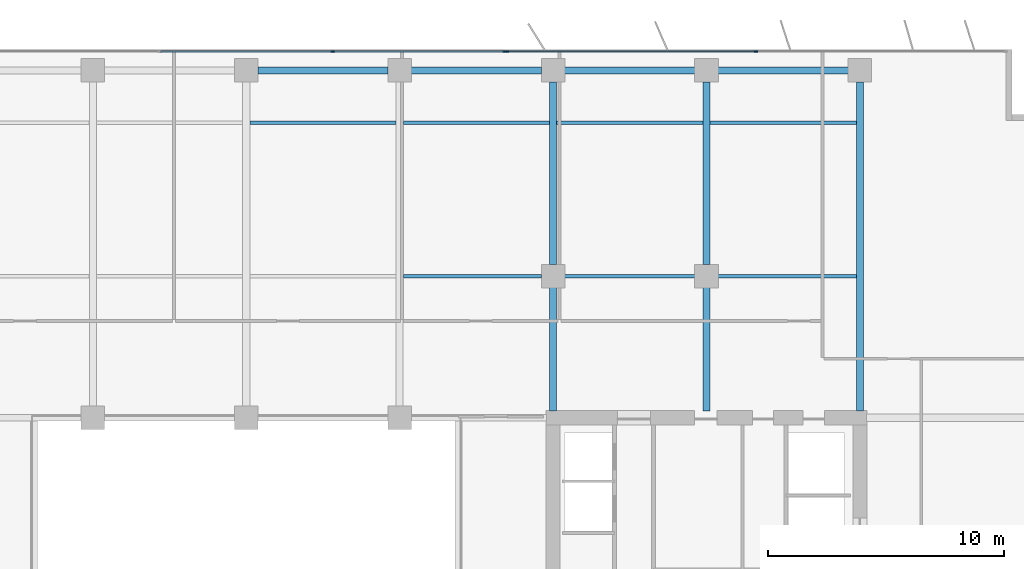
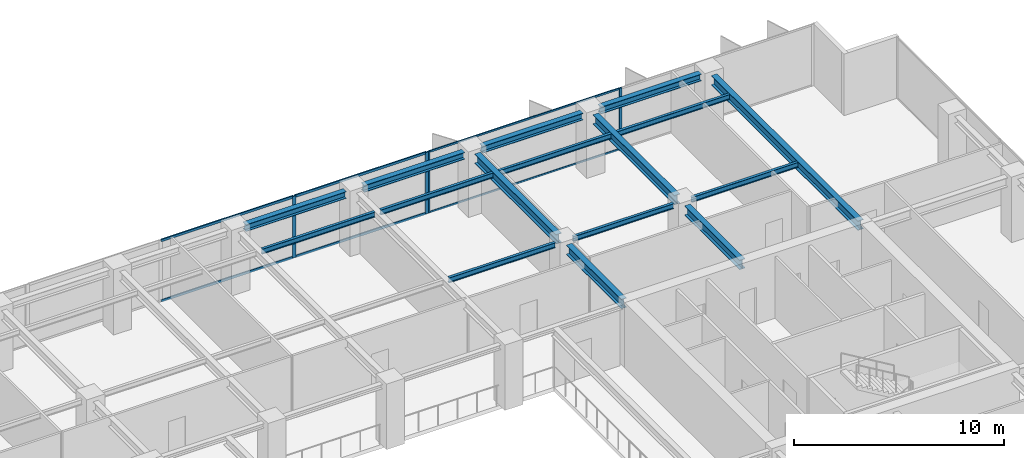
# One storey, part 10 of 22: 16 beams, 10 members, 2 elements without a shape of their own.
"""IFC4 building model written with IfcOpenShell, lengths in metres."""

from ifc_helpers import new_model, si_unit, direction, frame, origin, origin_2d, place, context, subcontext, project, spatial, rectangle, i_section, extrude, material, layer, layer_set, material_profile, profile_set, type_object, element, aggregate, save


model = new_model("IFC4")

# Units and contexts
model_context = context("Model", 3, precision=1e-05, world=origin(), true_north=direction((0.0, 1.0)))
body_context = subcontext(model_context, "Body", "Model", "MODEL_VIEW")
ifc_project = project(units=[si_unit("LENGTHUNIT", "METRE"), si_unit("AREAUNIT", "SQUARE_METRE"), si_unit("VOLUMEUNIT", "CUBIC_METRE"), si_unit("PLANEANGLEUNIT", "RADIAN"), si_unit("MASSUNIT", "GRAM", prefix="KILO")], contexts=[model_context])

# Site, building, storey
site_placement = place(None, origin())
site = spatial("IfcSite", under=ifc_project, at=site_placement, CompositionType="ELEMENT")
building_placement = place(site_placement, origin())
building = spatial("IfcBuilding", under=site, at=building_placement, Name="Putna Gate Headquarters", CompositionType="ELEMENT")
storey_placement = place(building_placement, frame((0.0, 0.0, 151.800048828125)))
storey = spatial("IfcBuildingStorey", under=building, at=storey_placement, Name="L37", CompositionType="ELEMENT", Elevation=151.800048828125)

# Beams
ifc_material_1 = material(Name="Steel S355J2", Category="steel")
ifc_material_profile_1 = material_profile(ifc_material_1, i_section(OverallWidth=0.300048828125, OverallDepth=0.550048828125, WebThickness=0.014892578125, FlangeThickness=0.029052734375, at=origin_2d()), Name="Steel S355J2")
ifc_profile_set_1 = profile_set([ifc_material_profile_1], Name="Steel S355J2")
beam_type_1 = type_object("IfcBeamType", Name="BM-GIRD-Z3-HEB550", PredefinedType="USERDEFINED", material=ifc_profile_set_1)
beam_1_placement = place(storey_placement, frame((52.0, 33.284912109375, 3.296875), z_axis=(0.0, 1.0, 0.0), x_axis=(-1.0, 0.0, 0.0)))
element("IfcBeam", 1, at=beam_1_placement, inside=storey, type_object=beam_type_1, Name="L37 North Primary Girder X52-1", ObjectType="GIRDER", PredefinedType="USERDEFINED", context=body_context, shape_type="SweptSolid", body=[
    extrude(i_section(OverallWidth=0.300048828125, OverallDepth=0.550048828125, WebThickness=0.014892578125, FlangeThickness=0.029052734375, at=origin_2d()), origin(), (0.0, 0.0, 1.0), 5.22705078125),
])
beam_2_placement = place(storey_placement, frame((52.0, 39.488037109375, 3.296875), z_axis=(0.0, 1.0, 0.0), x_axis=(-1.0, 0.0, 0.0)))
element("IfcBeam", 2, at=beam_2_placement, inside=storey, type_object=beam_type_1, Name="L37 North Primary Girder X52-2", ObjectType="GIRDER", PredefinedType="USERDEFINED", context=body_context, shape_type="SweptSolid", body=[
    extrude(i_section(OverallWidth=0.300048828125, OverallDepth=0.550048828125, WebThickness=0.014892578125, FlangeThickness=0.029052734375, at=origin_2d()), origin(), (0.0, 0.0, 1.0), 7.743896484375),
])
beam_3_placement = place(storey_placement, frame((58.5, 33.284912109375, 3.296875), z_axis=(0.0, 1.0, 0.0), x_axis=(-1.0, 0.0, 0.0)))
element("IfcBeam", 3, at=beam_3_placement, inside=storey, type_object=beam_type_1, Name="L37 North Primary Girder X58-1", ObjectType="GIRDER", PredefinedType="USERDEFINED", context=body_context, shape_type="SweptSolid", body=[
    extrude(i_section(OverallWidth=0.300048828125, OverallDepth=0.550048828125, WebThickness=0.014892578125, FlangeThickness=0.029052734375, at=origin_2d()), origin(), (0.0, 0.0, 1.0), 5.22705078125),
])
beam_4_placement = place(storey_placement, frame((58.5, 39.488037109375, 3.296875), z_axis=(0.0, 1.0, 0.0), x_axis=(-1.0, 0.0, 0.0)))
element("IfcBeam", 4, at=beam_4_placement, inside=storey, type_object=beam_type_1, Name="L37 North Primary Girder X58-2", ObjectType="GIRDER", PredefinedType="USERDEFINED", context=body_context, shape_type="SweptSolid", body=[
    extrude(i_section(OverallWidth=0.300048828125, OverallDepth=0.550048828125, WebThickness=0.014892578125, FlangeThickness=0.029052734375, at=origin_2d()), origin(), (0.0, 0.0, 1.0), 7.743896484375),
])
beam_5_placement = place(storey_placement, frame((65.0, 33.284912109375, 3.296875), z_axis=(0.0, 1.0, 0.0), x_axis=(-1.0, 0.0, 0.0)))
element("IfcBeam", 5, at=beam_5_placement, inside=storey, type_object=beam_type_1, Name="L37 North Primary Girder X65", ObjectType="GIRDER", PredefinedType="USERDEFINED", context=body_context, shape_type="SweptSolid", body=[
    extrude(i_section(OverallWidth=0.300048828125, OverallDepth=0.550048828125, WebThickness=0.014892578125, FlangeThickness=0.029052734375, at=origin_2d()), origin(), (0.0, 0.0, 1.0), 13.947021484375),
])
ifc_material_profile_2 = material_profile(ifc_material_1, i_section(OverallWidth=0.14990234375, OverallDepth=0.300048828125, WebThickness=0.007080078125, FlangeThickness=0.0107421875, at=origin_2d()), Name="Steel S355J2")
ifc_profile_set_2 = profile_set([ifc_material_profile_2], Name="Steel S355J2")
beam_type_2 = type_object("IfcBeamType", Name="BM-SEC-Z3-IPE300", PredefinedType="JOIST", material=ifc_profile_set_2)
beam_6_placement = place(storey_placement, frame((39.154052734375, 45.5, 3.421875), z_axis=(1.0, 0.0, 0.0), x_axis=(0.0, 1.0, 0.0)))
element("IfcBeam", 6, at=beam_6_placement, inside=storey, type_object=beam_type_2, Name="L37 North Secondary Beam 5", PredefinedType="JOIST", context=body_context, shape_type="SweptSolid", body=[
    extrude(i_section(OverallWidth=0.14990234375, OverallDepth=0.300048828125, WebThickness=0.007080078125, FlangeThickness=0.0107421875, at=origin_2d()), origin(), (0.0, 0.0, 1.0), 6.19189453125),
])
beam_7_placement = place(storey_placement, frame((45.654052734375, 39.0, 3.421875), z_axis=(1.0, 0.0, 0.0), x_axis=(0.0, 1.0, 0.0)))
element("IfcBeam", 7, at=beam_7_placement, inside=storey, type_object=beam_type_2, Name="L37 North Secondary Beam 6", PredefinedType="JOIST", context=body_context, shape_type="SweptSolid", body=[
    extrude(i_section(OverallWidth=0.14990234375, OverallDepth=0.300048828125, WebThickness=0.007080078125, FlangeThickness=0.0107421875, at=origin_2d()), origin(), (0.0, 0.0, 1.0), 5.85791015625),
])
beam_8_placement = place(storey_placement, frame((45.654052734375, 45.5, 3.421875), z_axis=(1.0, 0.0, 0.0), x_axis=(0.0, 1.0, 0.0)))
element("IfcBeam", 8, at=beam_8_placement, inside=storey, type_object=beam_type_2, Name="L37 North Secondary Beam 6", PredefinedType="JOIST", context=body_context, shape_type="SweptSolid", body=[
    extrude(i_section(OverallWidth=0.14990234375, OverallDepth=0.300048828125, WebThickness=0.007080078125, FlangeThickness=0.0107421875, at=origin_2d()), origin(), (0.0, 0.0, 1.0), 6.19189453125),
])
beam_9_placement = place(storey_placement, frame((52.488037109375, 39.0, 3.421875), z_axis=(1.0, 0.0, 0.0), x_axis=(0.0, 1.0, 0.0)))
element("IfcBeam", 9, at=beam_9_placement, inside=storey, type_object=beam_type_2, Name="L37 North Secondary Beam 7", PredefinedType="JOIST", context=body_context, shape_type="SweptSolid", body=[
    extrude(i_section(OverallWidth=0.14990234375, OverallDepth=0.300048828125, WebThickness=0.007080078125, FlangeThickness=0.0107421875, at=origin_2d()), origin(), (0.0, 0.0, 1.0), 5.52392578125),
])
beam_10_placement = place(storey_placement, frame((52.154052734375, 45.5, 3.421875), z_axis=(1.0, 0.0, 0.0), x_axis=(0.0, 1.0, 0.0)))
element("IfcBeam", 10, at=beam_10_placement, inside=storey, type_object=beam_type_2, Name="L37 North Secondary Beam 7", PredefinedType="JOIST", context=body_context, shape_type="SweptSolid", body=[
    extrude(i_section(OverallWidth=0.14990234375, OverallDepth=0.300048828125, WebThickness=0.007080078125, FlangeThickness=0.0107421875, at=origin_2d()), origin(), (0.0, 0.0, 1.0), 6.19189453125),
])
beam_11_placement = place(storey_placement, frame((58.988037109375, 39.0, 3.421875), z_axis=(1.0, 0.0, 0.0), x_axis=(0.0, 1.0, 0.0)))
element("IfcBeam", 11, at=beam_11_placement, inside=storey, type_object=beam_type_2, Name="L37 North Secondary Beam 8", PredefinedType="JOIST", context=body_context, shape_type="SweptSolid", body=[
    extrude(i_section(OverallWidth=0.14990234375, OverallDepth=0.300048828125, WebThickness=0.007080078125, FlangeThickness=0.0107421875, at=origin_2d()), origin(), (0.0, 0.0, 1.0), 5.85791015625),
])
beam_12_placement = place(storey_placement, frame((58.654052734375, 45.5, 3.421875), z_axis=(1.0, 0.0, 0.0), x_axis=(0.0, 1.0, 0.0)))
element("IfcBeam", 12, at=beam_12_placement, inside=storey, type_object=beam_type_2, Name="L37 North Secondary Beam 8", PredefinedType="JOIST", context=body_context, shape_type="SweptSolid", body=[
    extrude(i_section(OverallWidth=0.14990234375, OverallDepth=0.300048828125, WebThickness=0.007080078125, FlangeThickness=0.0107421875, at=origin_2d()), origin(), (0.0, 0.0, 1.0), 6.19189453125),
])
ifc_material_profile_3 = material_profile(ifc_material_1, i_section(OverallWidth=0.300048828125, OverallDepth=0.39990234375, WebThickness=0.013427734375, FlangeThickness=0.02392578125, at=origin_2d()), Name="Steel S355J2")
ifc_profile_set_3 = profile_set([ifc_material_profile_3], Name="Steel S355J2")
beam_type_3 = type_object("IfcBeamType", Name="BM-SPAN-Z3-HEB400", PredefinedType="SPANDREL", material=ifc_profile_set_3)
for number, where, z_axis, x_axis, name in (
    (13, (39.488037109375, 47.719970703125, 3.3720703125), (1.0, 0.0, 0.0), (0.0, 1.0, 0.0), "L37 N Perimeter Spandrel 5"),
    (14, (45.988037109375, 47.719970703125, 3.3720703125), (1.0, 0.0, 0.0), (0.0, 1.0, 0.0), "L37 N Perimeter Spandrel 6"),
    (15, (52.488037109375, 47.719970703125, 3.3720703125), (1.0, 0.0, 0.0), (0.0, 1.0, 0.0), "L37 N Perimeter Spandrel 7"),
    (16, (58.988037109375, 47.719970703125, 3.3720703125), (1.0, 0.0, 0.0), (0.0, 1.0, 0.0), "L37 N Perimeter Spandrel 8"),
):
    element("IfcBeam", number, at=place(storey_placement, frame(where, z_axis=z_axis, x_axis=x_axis)), inside=storey, type_object=beam_type_3, Name=name, PredefinedType="SPANDREL", context=body_context, shape_type="SweptSolid", body=[
        extrude(i_section(OverallWidth=0.300048828125, OverallDepth=0.39990234375, WebThickness=0.013427734375, FlangeThickness=0.02392578125, at=origin_2d()), origin(), (0.0, 0.0, 1.0), 5.52392578125),
    ])

# Curtain wall, members
ifc_material_2 = material(Name="Anodised bronze aluminium curtain wall", Category="aluminium")
ifc_layer_1 = layer(ifc_material_2, 0.159912109375)
ifc_layer_set_1 = layer_set([ifc_layer_1], Name="Anodised bronze aluminium curtain wall")
curtain_wall_type_1 = type_object("IfcCurtainWallType", Name="CW-SYS-Z3", PredefinedType="USERDEFINED", material=ifc_layer_set_1)
curtain_wall_1_placement = place(storey_placement, origin())
curtain_wall_1 = element("IfcCurtainWall", 17, at=curtain_wall_1_placement, inside=storey, type_object=curtain_wall_type_1, Name="L37 North East Curtain Wall", ObjectType="STICK CURTAIN WALL", PredefinedType="USERDEFINED")
ifc_material_3 = material(Name="Anodised bronze aluminium EN AW-6060", Category="aluminium")
ifc_material_profile_4 = material_profile(ifc_material_3, rectangle(XDim=0.06494140625, YDim=0.159912109375, at=origin_2d()), Name="Anodised bronze aluminium EN AW-6060")
ifc_profile_set_4 = profile_set([ifc_material_profile_4], Name="Anodised bronze aluminium EN AW-6060")
member_type_1 = type_object("IfcMemberType", Name="MULL-CWM-3", PredefinedType="MULLION", material=ifc_profile_set_4)
member_1_placement = place(storey_placement, frame((50.032470703125, 48.52001953125, 0.0), z_axis=(0.0, 0.0, 1.0), x_axis=(0.0, 1.0, 0.0)))
member_1 = element("IfcMember", 18, at=member_1_placement, type_object=member_type_1, Name="CWS-3 mullion 1", PredefinedType="MULLION", context=body_context, shape_type="SweptSolid", body=[
    extrude(rectangle(XDim=0.06494140625, YDim=0.159912109375, at=origin_2d()), origin(), (0.0, 0.0, 1.0), 3.572021484375),
])
member_2_placement = place(storey_placement, frame((60.60009765625, 48.52001953125, 0.0), z_axis=(0.0, 0.0, 1.0), x_axis=(0.0, 1.0, 0.0)))
member_2 = element("IfcMember", 19, at=member_2_placement, type_object=member_type_1, Name="CWS-3 mullion 2", PredefinedType="MULLION", context=body_context, shape_type="SweptSolid", body=[
    extrude(rectangle(XDim=0.06494140625, YDim=0.159912109375, at=origin_2d()), origin(), (0.0, 0.0, 1.0), 3.572021484375),
])

ifc_layer_2 = layer(ifc_material_2, 0.179931640625)
ifc_layer_set_2 = layer_set([ifc_layer_2], Name="Anodised bronze aluminium curtain wall")
curtain_wall_type_2 = type_object("IfcCurtainWallType", Name="CW-SYS-ATR", PredefinedType="USERDEFINED", material=ifc_layer_set_2)
curtain_wall_2_placement = place(storey_placement, origin())
curtain_wall_2 = element("IfcCurtainWall", 20, at=curtain_wall_2_placement, inside=storey, type_object=curtain_wall_type_2, Name="L37 North Atrium Clear Glazing", ObjectType="ATRIUM GLAZING", PredefinedType="USERDEFINED")
ifc_material_profile_5 = material_profile(ifc_material_3, rectangle(XDim=0.070068359375, YDim=0.179931640625, at=origin_2d()), Name="Anodised bronze aluminium EN AW-6060")
ifc_profile_set_5 = profile_set([ifc_material_profile_5], Name="Anodised bronze aluminium EN AW-6060")
member_type_2 = type_object("IfcMemberType", Name="MULL-CWM-AT", PredefinedType="MULLION", material=ifc_profile_set_5)
member_3_placement = place(storey_placement, frame((42.666748046875, 48.52001953125, 0.0), z_axis=(0.0, 0.0, 1.0), x_axis=(0.0, 1.0, 0.0)))
member_3 = element("IfcMember", 21, at=member_3_placement, type_object=member_type_2, Name="CWS-AT mullion 3", PredefinedType="MULLION", context=body_context, shape_type="SweptSolid", body=[
    extrude(rectangle(XDim=0.070068359375, YDim=0.179931640625, at=origin_2d()), origin(), (0.0, 0.0, 1.0), 3.572021484375),
])
member_4_placement = place(storey_placement, frame((49.965087890625, 48.52001953125, 0.0), z_axis=(0.0, 0.0, 1.0), x_axis=(0.0, 1.0, 0.0)))
member_4 = element("IfcMember", 22, at=member_4_placement, type_object=member_type_2, Name="CWS-AT mullion 4", PredefinedType="MULLION", context=body_context, shape_type="SweptSolid", body=[
    extrude(rectangle(XDim=0.070068359375, YDim=0.179931640625, at=origin_2d()), origin(), (0.0, 0.0, 1.0), 3.572021484375),
])

# Member
ifc_material_profile_6 = material_profile(ifc_material_3, rectangle(XDim=0.06005859375, YDim=0.10009765625, at=origin_2d()), Name="Anodised bronze aluminium EN AW-6060")
ifc_profile_set_6 = profile_set([ifc_material_profile_6], Name="Anodised bronze aluminium EN AW-6060")
member_type_3 = type_object("IfcMemberType", Name="TRAN-CWT-3", PredefinedType="USERDEFINED", material=ifc_profile_set_6)
member_5_placement = place(storey_placement, frame((50.06494140625, 48.52001953125, 0.030029296875), z_axis=(1.0, 0.0, 0.0), x_axis=(0.0, 1.0, 0.0)))
member_5 = element("IfcMember", 23, at=member_5_placement, type_object=member_type_3, Name="CWS-3 transom 1.1", ObjectType="TRANSOM", PredefinedType="USERDEFINED", context=body_context, shape_type="SweptSolid", body=[
    extrude(rectangle(XDim=0.06005859375, YDim=0.10009765625, at=origin_2d()), origin(), (0.0, 0.0, 1.0), 10.50244140625),
])

member_6_placement = place(storey_placement, frame((50.06494140625, 48.52001953125, 3.5419921875), z_axis=(1.0, 0.0, 0.0), x_axis=(0.0, 1.0, 0.0)))
member_6 = element("IfcMember", 24, at=member_6_placement, type_object=member_type_3, Name="CWS-3 transom 1.2", ObjectType="TRANSOM", PredefinedType="USERDEFINED", context=body_context, shape_type="SweptSolid", body=[
    extrude(rectangle(XDim=0.06005859375, YDim=0.10009765625, at=origin_2d()), origin(), (0.0, 0.0, 1.0), 10.50244140625),
])

aggregate(curtain_wall_1, [member_1, member_2, member_5, member_6])

ifc_material_profile_7 = material_profile(ifc_material_3, rectangle(XDim=0.070068359375, YDim=0.139892578125, at=origin_2d()), Name="Anodised bronze aluminium EN AW-6060")
ifc_profile_set_7 = profile_set([ifc_material_profile_7], Name="Anodised bronze aluminium EN AW-6060")
member_type_4 = type_object("IfcMemberType", Name="TRAN-CWT-AT", PredefinedType="USERDEFINED", material=ifc_profile_set_7)
member_7_placement = place(storey_placement, frame((35.368408203125, 48.52001953125, 0.034912109375), z_axis=(1.0, 0.0, 0.0), x_axis=(0.0, 1.0, 0.0)))
member_7 = element("IfcMember", 25, at=member_7_placement, type_object=member_type_4, Name="CWS-AT transom 2.1", ObjectType="TRANSOM", PredefinedType="USERDEFINED", context=body_context, shape_type="SweptSolid", body=[
    extrude(rectangle(XDim=0.070068359375, YDim=0.139892578125, at=origin_2d()), origin(), (0.0, 0.0, 1.0), 7.26318359375),
])

member_8_placement = place(storey_placement, frame((35.368408203125, 48.52001953125, 3.536865234375), z_axis=(1.0, 0.0, 0.0), x_axis=(0.0, 1.0, 0.0)))
member_8 = element("IfcMember", 26, at=member_8_placement, type_object=member_type_4, Name="CWS-AT transom 2.2", ObjectType="TRANSOM", PredefinedType="USERDEFINED", context=body_context, shape_type="SweptSolid", body=[
    extrude(rectangle(XDim=0.070068359375, YDim=0.139892578125, at=origin_2d()), origin(), (0.0, 0.0, 1.0), 7.26318359375),
])

member_9_placement = place(storey_placement, frame((42.70166015625, 48.52001953125, 0.034912109375), z_axis=(1.0, 0.0, 0.0), x_axis=(0.0, 1.0, 0.0)))
member_9 = element("IfcMember", 27, at=member_9_placement, type_object=member_type_4, Name="CWS-AT transom 3.1", ObjectType="TRANSOM", PredefinedType="USERDEFINED", context=body_context, shape_type="SweptSolid", body=[
    extrude(rectangle(XDim=0.070068359375, YDim=0.139892578125, at=origin_2d()), origin(), (0.0, 0.0, 1.0), 7.228271484375),
])

member_10_placement = place(storey_placement, frame((42.70166015625, 48.52001953125, 3.536865234375), z_axis=(1.0, 0.0, 0.0), x_axis=(0.0, 1.0, 0.0)))
member_10 = element("IfcMember", 28, at=member_10_placement, type_object=member_type_4, Name="CWS-AT transom 3.2", ObjectType="TRANSOM", PredefinedType="USERDEFINED", context=body_context, shape_type="SweptSolid", body=[
    extrude(rectangle(XDim=0.070068359375, YDim=0.139892578125, at=origin_2d()), origin(), (0.0, 0.0, 1.0), 7.228271484375),
])

aggregate(curtain_wall_2, [member_3, member_4, member_7, member_8, member_9, member_10])

save(model, "model.ifc")
